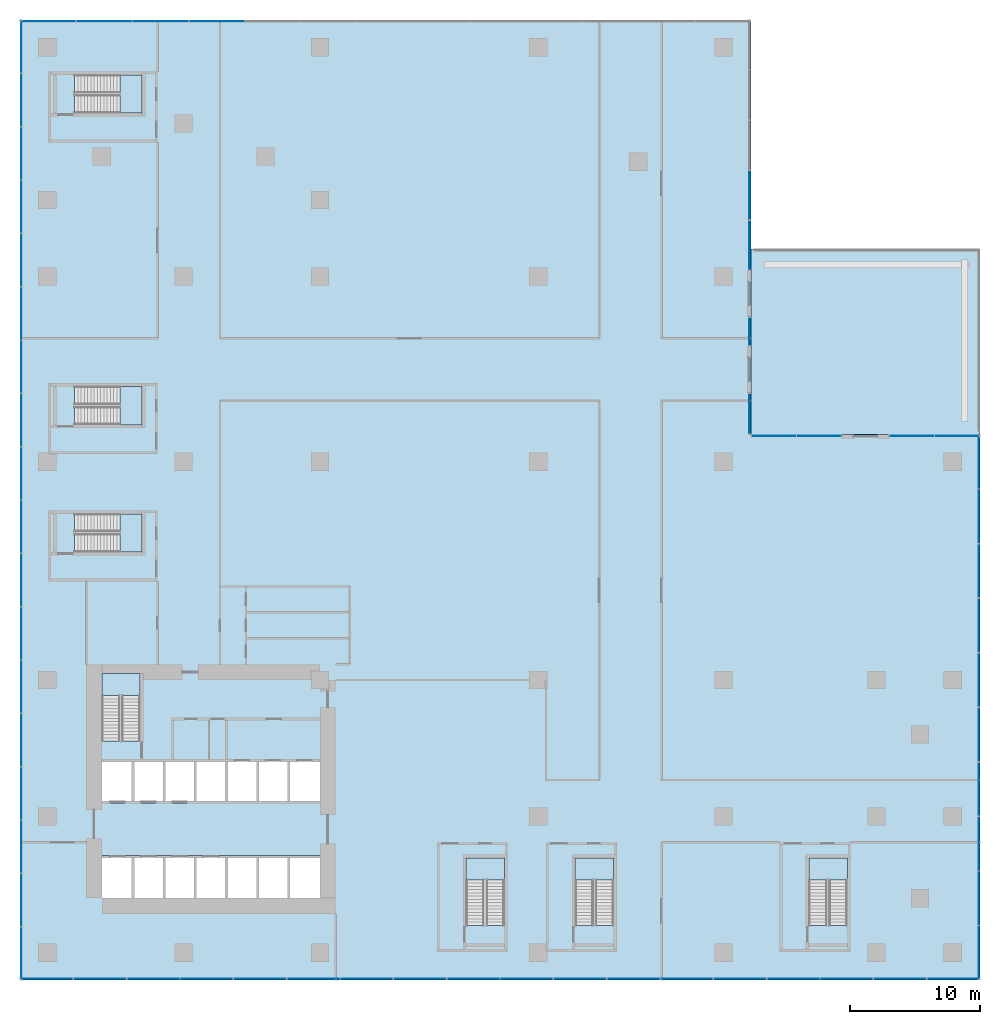
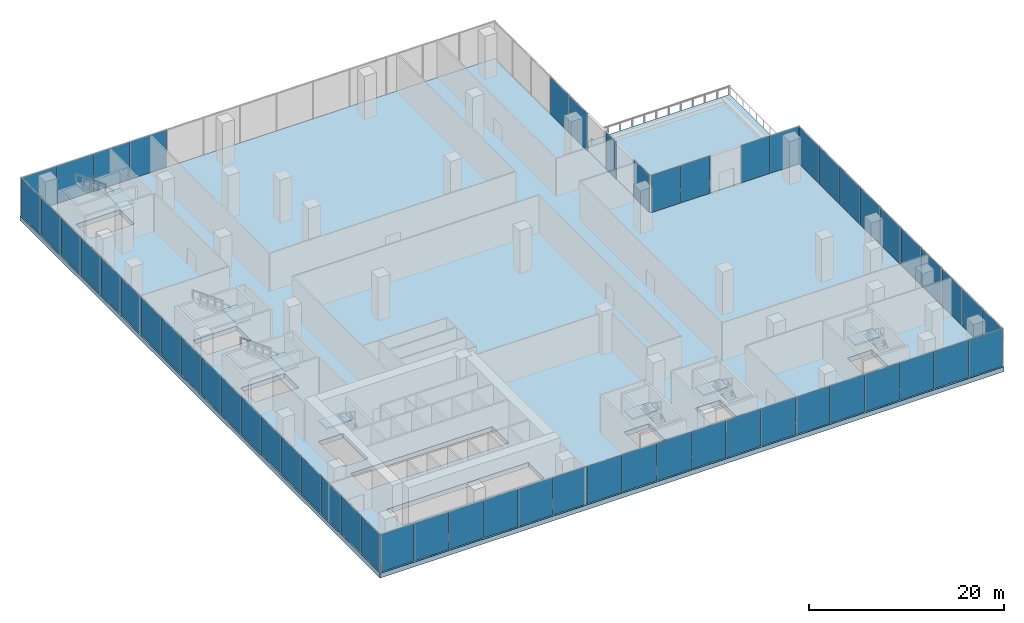
# One storey, part 12 of 23: 58 plates, 9 slabs, 16 elements without a shape of their own.
"""IFC4 building model written with IfcOpenShell, lengths in metres."""

import ifcopenshell
import ifcopenshell.guid

model = None  # the IFC model being written
_history = None  # IfcOwnerHistory: only IFC2X3 demands one
_inside = {}  # id of a spatial element -> (the spatial element, [elements in it])
_under = {}  # id of a project, library or spatial element -> (it, [spatial elements below it])
_declared = {}  # id of a project -> (the project, [libraries it declares])
_typed = {}  # id of a type object -> (the type object, [elements of that type])
_made_of = {}  # id of a material, layer set ... -> (it, [elements and type objects made of it])


def new_model(schema):
    """Start an empty IFC model of exactly this schema.

    Asked for "IFC4X3", IfcOpenShell would pick the latest addendum, in which some entities
    have other attributes; the version numbers below select the first issue.
    IFC2X3 requires an IfcOwnerHistory on every rooted entity: one is made here for all.
    """
    global model, _history
    if schema == "IFC4X3":
        model = ifcopenshell.file(schema_version=(4, 3, 0, 0))
    else:
        model = ifcopenshell.file(schema=schema)
    _inside.clear()
    _under.clear()
    _declared.clear()
    _typed.clear()
    _made_of.clear()
    _history = None
    if model.schema == "IFC2X3":
        org = make("IfcOrganization", Name="unknown")
        user = make(
            "IfcPersonAndOrganization",
            ThePerson=make("IfcPerson", FamilyName="unknown"),
            TheOrganization=org,
        )
        app = make(
            "IfcApplication",
            ApplicationDeveloper=org,
            Version="unknown",
            ApplicationFullName="unknown",
            ApplicationIdentifier="unknown",
        )
        _history = make(
            "IfcOwnerHistory",
            OwningUser=user,
            OwningApplication=app,
            ChangeAction="ADDED",
            CreationDate=0,
        )
    return model


def make(cls, **values):
    """One entity of the class cls with the attributes given. An attribute that is None is left unset."""
    return model.create_entity(
        cls, **{name: value for name, value in values.items() if value is not None}
    )


def rooted(cls, **values):
    """An entity with a GlobalId (a new one), such as an element, a storey or a relation."""
    return make(cls, GlobalId=ifcopenshell.guid.new(), OwnerHistory=_history, **values)


def si_unit(unit_type, name, prefix=None):
    """IfcSIUnit, for example si_unit("LENGTHUNIT", "METRE", prefix="MILLI")."""
    return make("IfcSIUnit", UnitType=unit_type, Prefix=prefix, Name=name)


def assignment(units):
    """IfcUnitAssignment: the units of a project."""
    return None if units is None else make("IfcUnitAssignment", Units=units)


def point(xyz):
    """IfcCartesianPoint."""
    return None if xyz is None else make("IfcCartesianPoint", Coordinates=xyz)


def direction(xyz):
    """IfcDirection."""
    return None if xyz is None else make("IfcDirection", DirectionRatios=xyz)


def frame(location, z_axis=None, x_axis=None):
    """IfcAxis2Placement3D, a coordinate frame: its origin and axes. An axis left out is left unset."""
    return make(
        "IfcAxis2Placement3D",
        Location=point(location),
        Axis=direction(z_axis),
        RefDirection=direction(x_axis),
    )


def frame_2d(location, x_axis=None):
    """IfcAxis2Placement2D, a coordinate frame in the plane: its origin and x axis."""
    return make(
        "IfcAxis2Placement2D", Location=point(location), RefDirection=direction(x_axis)
    )


def origin():
    """The frame at (0, 0, 0) with its axes left unset."""
    return frame((0.0, 0.0, 0.0))


def origin_2d():
    """The frame at (0, 0) in the plane with its x axis left unset."""
    return frame_2d((0.0, 0.0))


def place(relative_to, where):
    """IfcLocalPlacement: puts the frame where relative to a parent placement (None: the world)."""
    return make(
        "IfcLocalPlacement", PlacementRelTo=relative_to, RelativePlacement=where
    )


def context(
    kind, dimensions, precision=None, world=None, true_north=None, identifier=None
):
    """IfcGeometricRepresentationContext, for example the 3D "Model" context."""
    return make(
        "IfcGeometricRepresentationContext",
        ContextIdentifier=identifier,
        ContextType=kind,
        CoordinateSpaceDimension=dimensions,
        Precision=precision,
        WorldCoordinateSystem=world,
        TrueNorth=true_north,
    )


def subcontext(parent, identifier, kind, view, scale=None):
    """IfcGeometricRepresentationSubContext, for example "Body" below "Model"."""
    return make(
        "IfcGeometricRepresentationSubContext",
        ContextIdentifier=identifier,
        ContextType=kind,
        ParentContext=parent,
        TargetScale=scale,
        TargetView=view,
    )


def project(units=None, contexts=None):
    """IfcProject with its units and contexts."""
    return rooted(
        "IfcProject",
        Name="project",
        RepresentationContexts=contexts,
        UnitsInContext=assignment(units),
    )


def spatial(cls, under=None, at=None, **own):
    """A site, building, storey or space (cls), placed at a placement, below another one or the project."""
    s = rooted(cls, ObjectPlacement=at, **own)
    if under is not None:
        _under.setdefault(under.id(), (under, []))[1].append(s)
    return s


def polyline(points):
    """IfcPolyline through the points."""
    return make("IfcPolyline", Points=[point(p) for p in points])


def profile(cls, at=None, kind="AREA", **sizes):
    """A parametric profile (cls). Its sizes go by their IFC names, for example OverallWidth=200.0."""
    return make(cls, ProfileType=kind, Position=at, **sizes)


def rectangle(**sizes):
    """IfcRectangleProfileDef."""
    return profile("IfcRectangleProfileDef", **sizes)


def outline(outer, holes=None, kind="AREA"):
    """IfcArbitraryClosedProfileDef: a profile drawn as a closed curve; with holes, ...WithVoids."""
    if holes is None:
        return make("IfcArbitraryClosedProfileDef", ProfileType=kind, OuterCurve=outer)
    return make(
        "IfcArbitraryProfileDefWithVoids",
        ProfileType=kind,
        OuterCurve=outer,
        InnerCurves=holes,
    )


def extrude(swept, where, along, depth):
    """IfcExtrudedAreaSolid: the profile swept, set in the frame where, extruded along a direction by depth."""
    return make(
        "IfcExtrudedAreaSolid",
        SweptArea=swept,
        Position=where,
        ExtrudedDirection=direction(along),
        Depth=depth,
    )


def shape(context_of_items, identifier, shape_type, items):
    """IfcShapeRepresentation: the items that make up one representation, for example the "Body"."""
    return make(
        "IfcShapeRepresentation",
        ContextOfItems=context_of_items,
        RepresentationIdentifier=identifier,
        RepresentationType=shape_type,
        Items=items,
    )


def source(mapping_origin, context_of_items, identifier, shape_type, items):
    """IfcRepresentationMap: a shape defined once, which mapped items show again and again."""
    return make(
        "IfcRepresentationMap",
        MappingOrigin=mapping_origin,
        MappedRepresentation=shape(context_of_items, identifier, shape_type, items),
    )


def transform(
    local_origin,
    x_axis=None,
    y_axis=None,
    z_axis=None,
    scale=None,
    scale2=None,
    scale3=None,
    uniform=True,
):
    """IfcCartesianTransformationOperator3D, or its non-uniform kind. x_axis, y_axis, z_axis: its Axis1, 2, 3."""
    if uniform:
        return make(
            "IfcCartesianTransformationOperator3D",
            Axis1=direction(x_axis),
            Axis2=direction(y_axis),
            LocalOrigin=point(local_origin),
            Scale=scale,
            Axis3=direction(z_axis),
        )
    return make(
        "IfcCartesianTransformationOperator3DnonUniform",
        Axis1=direction(x_axis),
        Axis2=direction(y_axis),
        LocalOrigin=point(local_origin),
        Scale=scale,
        Axis3=direction(z_axis),
        Scale2=scale2,
        Scale3=scale3,
    )


def mapped(mapping_source, mapping_target):
    """IfcMappedItem: shows the shape of a source again, moved by a transform."""
    return make(
        "IfcMappedItem", MappingSource=mapping_source, MappingTarget=mapping_target
    )


def material(Name=None, Category=None):
    """IfcMaterial."""
    return make("IfcMaterial", Name=Name, Category=Category)


def layer(
    of_material, thickness, ventilated=None, Name=None, Category=None, Priority=None
):
    """IfcMaterialLayer: one layer of a wall or slab, of a material (None: an air gap)."""
    return make(
        "IfcMaterialLayer",
        Material=of_material,
        LayerThickness=thickness,
        IsVentilated=ventilated,
        Name=Name,
        Category=Category,
        Priority=Priority,
    )


def layer_set(layers, Name=None):
    """IfcMaterialLayerSet."""
    return make("IfcMaterialLayerSet", MaterialLayers=layers, LayerSetName=Name)


def made_of(thing, what):
    """Note that an element or type object is made of a material, layer set ...; save() writes the relation."""
    if what is not None:
        _made_of.setdefault(what.id(), (what, []))[1].append(thing)
    return thing


def type_object(cls, material=None, **own):
    """A type object (cls), such as IfcWallType, which elements share."""
    return made_of(rooted(cls, **own), material)


def element(
    cls,
    number,
    at=None,
    inside=None,
    cuts=None,
    type_object=None,
    material=None,
    context=None,
    identifier="Body",
    shape_type=None,
    held_by="IfcProductDefinitionShape",
    body=None,
    shapes=None,
    **own,
):
    """One element of the class cls, such as IfcWall. Its Tag is "e" and its number.

    at: its placement. inside: the storey or other place that contains it. cuts: it is an
    opening in that element (IfcRelVoidsElement). A single representation is given by context,
    identifier, shape_type and body (its items); several are given by shapes. held_by: the class
    of the entity that holds the representations. save() writes the other relations.
    """
    e = rooted(cls, Tag="e%d" % number, ObjectPlacement=at, **own)
    if body is not None:
        shapes = [shape(context, identifier, shape_type, body)]
    if shapes is not None:
        e.Representation = make(held_by, Representations=shapes)
    if inside is not None:
        _inside.setdefault(inside.id(), (inside, []))[1].append(e)
    if cuts is not None:
        rooted(
            "IfcRelVoidsElement", RelatingBuildingElement=cuts, RelatedOpeningElement=e
        )
    if type_object is not None:
        _typed.setdefault(type_object.id(), (type_object, []))[1].append(e)
    return made_of(e, material)


def aggregate(whole, parts):
    """IfcRelAggregates: a whole, such as a stair, and the parts it consists of."""
    return rooted("IfcRelAggregates", RelatingObject=whole, RelatedObjects=parts)


def save(model, path):
    """Write the relations noted so far, then the file.

    IfcRelAggregates (storeys below a building ...), IfcRelContainedInSpatialStructure (elements
    in a storey), IfcRelDefinesByType, IfcRelAssociatesMaterial and IfcRelDeclares: one each for
    every whole, place, type object, material and project.
    """
    for whole, parts in _under.values():
        aggregate(whole, parts)
    for where, things in _inside.values():
        rooted(
            "IfcRelContainedInSpatialStructure",
            RelatedElements=things,
            RelatingStructure=where,
        )
    for kind, things in _typed.values():
        rooted("IfcRelDefinesByType", RelatedObjects=things, RelatingType=kind)
    for what, things in _made_of.values():
        rooted("IfcRelAssociatesMaterial", RelatedObjects=things, RelatingMaterial=what)
    for by, libraries in _declared.values():
        rooted("IfcRelDeclares", RelatingContext=by, RelatedDefinitions=libraries)
    model.write(path)


model = new_model("IFC4")

# Units and contexts
model_context = context("Model", 3, precision=1e-05, world=origin(), true_north=direction((0.0, 1.0)))
body_context = subcontext(model_context, "Body", "Model", "MODEL_VIEW")
ifc_project = project(units=[si_unit("LENGTHUNIT", "METRE"), si_unit("AREAUNIT", "SQUARE_METRE"), si_unit("VOLUMEUNIT", "CUBIC_METRE"), si_unit("PLANEANGLEUNIT", "RADIAN"), si_unit("MASSUNIT", "GRAM", prefix="KILO")], contexts=[model_context])

# Site, building, storey
site_placement = place(None, origin())
site = spatial("IfcSite", under=ifc_project, at=site_placement, CompositionType="ELEMENT")
building_placement = place(site_placement, origin())
building = spatial("IfcBuilding", under=site, at=building_placement, Name="Aurelian Terraces", CompositionType="ELEMENT")
storey_placement = place(building_placement, frame((0.0, 0.0, 23.7)))
storey = spatial("IfcBuildingStorey", under=building, at=storey_placement, Name="L04", CompositionType="ELEMENT", Elevation=23.7)

# Slabs
ifc_material_1 = material(Name="Concrete fc' 40 MPa", Category="concrete")
ifc_layer_1 = layer(ifc_material_1, 0.6)
ifc_layer_set_1 = layer_set([ifc_layer_1], Name="PT FLAT PLATE 600")
slab_type_1 = type_object("IfcSlabType", Name="PT FLAT PLATE 600", PredefinedType="FLOOR", material=ifc_layer_set_1)
slab_1_placement = place(storey_placement, frame((0.0, 0.0, -0.6)))
element("IfcSlab", 1, at=slab_1_placement, inside=storey, type_object=slab_type_1, Name="Floor slab P L04", PredefinedType="FLOOR", context=body_context, shape_type="SweptSolid", body=[
    extrude(outline(polyline([(71.82, -2.1), (54.18, -2.1), (-2.1, -2.1), (-2.1, 39.9), (-2.1, 71.82), (54.18, 71.82), (54.18, 39.9), (71.82, 39.9), (71.82, -2.1)]), holes=[polyline([(58.66, 7.29), (58.66, 2.11), (61.59, 2.11), (61.59, 7.29), (58.66, 7.29)]), polyline([(40.66, 7.29), (40.66, 2.11), (43.59, 2.11), (43.59, 7.29), (40.66, 7.29)]), polyline([(32.26, 7.29), (32.26, 2.11), (35.19, 2.11), (35.19, 7.29), (32.26, 7.29)]), polyline([(4.21, 7.49), (4.21, 4.21), (20.99, 4.21), (20.99, 7.49), (4.21, 7.49)]), polyline([(4.21, 14.89), (4.21, 11.51), (20.99, 11.51), (20.99, 14.89), (4.21, 14.89)]), polyline([(7.29, 40.66), (7.29, 43.59), (2.11, 43.59), (2.11, 40.66), (7.29, 40.66)]), polyline([(7.29, 64.66), (7.29, 67.59), (2.11, 67.59), (2.11, 64.66), (7.29, 64.66)]), polyline([(7.29, 33.79), (2.11, 33.79), (2.11, 30.86), (7.29, 30.86), (7.29, 33.79)]), polyline([(4.21, 21.49), (4.21, 16.31), (7.14, 16.31), (7.14, 21.49), (4.21, 21.49)])]), origin(), (0.0, 0.0, 1.0), 0.6),
])
ifc_layer_2 = layer(ifc_material_1, 0.6001)
ifc_layer_set_2 = layer_set([ifc_layer_2], Name="Terrace slab 600")
slab_type_2 = type_object("IfcSlabType", Name="Terrace slab 600", PredefinedType="NOTDEFINED", material=ifc_layer_set_2)
slab_2_placement = place(storey_placement, frame((0.0, 0.0, -0.6001)))
element("IfcSlab", 2, at=slab_2_placement, inside=storey, type_object=slab_type_2, Name="Podium garden terrace L04 L04-X1", PredefinedType="NOTDEFINED", context=body_context, shape_type="SweptSolid", body=[
    extrude(outline(polyline([(71.82, 39.9), (54.18, 39.9), (54.18, 54.18), (71.82, 54.18), (71.82, 39.9)])), origin(), (0.0, 0.0, 1.0), 0.6001),
])

# Curtain wall, plate
ifc_material_2 = material(Name="Anodised aluminium and clear glazing", Category="aluminium")
ifc_layer_3 = layer(ifc_material_2, 0.2)
ifc_layer_set_3 = layer_set([ifc_layer_3], Name="Winter garden glazing curtain wall")
curtain_wall_type = type_object("IfcCurtainWallType", Name="Winter garden glazing curtain wall", PredefinedType="NOTDEFINED", material=ifc_layer_set_3)
curtain_wall_1_placement = place(storey_placement, origin())
curtain_wall_1 = element("IfcCurtainWall", 3, at=curtain_wall_1_placement, inside=storey, type_object=curtain_wall_type, Name="Winter garden glazing L04 F03.1", PredefinedType="NOTDEFINED")
ifc_material_3 = material(Name="Clear glazing", Category="glass")
ifc_layer_4 = layer(ifc_material_3, 0.028)
ifc_layer_set_4 = layer_set([ifc_layer_4], Name="Winter garden glazing glazing panel")
plate_type = type_object("IfcPlateType", Name="Winter garden glazing glazing panel", PredefinedType="CURTAIN_PANEL", material=ifc_layer_set_4)
plate_1_placement = place(storey_placement, frame((70.05, 39.8, 0.06), z_axis=(0.0, 0.0, 1.0), x_axis=(-1.0, 0.0, 0.0)))
plate_1 = element("IfcPlate", 4, at=plate_1_placement, type_object=plate_type, Name="CW6 panel 1.1", PredefinedType="CURTAIN_PANEL", context=body_context, shape_type="SweptSolid", body=[
    extrude(rectangle(XDim=3.42, YDim=0.028, at=origin_2d()), origin(), (0.0, 0.0, 1.0), 4.68),
])

curtain_wall_2_placement = place(storey_placement, origin())
curtain_wall_2 = element("IfcCurtainWall", 5, at=curtain_wall_2_placement, inside=storey, type_object=curtain_wall_type, Name="Winter garden glazing L04 F04.1", PredefinedType="NOTDEFINED")
plate_2_placement = place(storey_placement, frame((54.08, 41.5, 0.06), z_axis=(0.0, 0.0, 1.0), x_axis=(0.0, 1.0, 0.0)))
plate_2 = element("IfcPlate", 6, at=plate_2_placement, type_object=plate_type, Name="CW6 panel 1.1", PredefinedType="CURTAIN_PANEL", context=body_context, shape_type="SweptSolid", body=[
    extrude(rectangle(XDim=3.08, YDim=0.028, at=origin_2d()), origin(), (0.0, 0.0, 1.0), 4.68),
])
aggregate(curtain_wall_2, [plate_2])

curtain_wall_3_placement = place(storey_placement, origin())
curtain_wall_3 = element("IfcCurtainWall", 7, at=curtain_wall_3_placement, inside=storey, type_object=curtain_wall_type, Name="Winter garden glazing L04 F04.3", PredefinedType="NOTDEFINED")
plate_3_placement = place(storey_placement, frame((54.08, 47.82, 0.06), z_axis=(0.0, 0.0, 1.0), x_axis=(0.0, 1.0, 0.0)))
plate_3 = element("IfcPlate", 8, at=plate_3_placement, type_object=plate_type, Name="CW6 panel 1.1", PredefinedType="CURTAIN_PANEL", context=body_context, shape_type="SweptSolid", body=[
    extrude(rectangle(XDim=2.12, YDim=0.028, at=origin_2d()), origin(), (0.0, 0.0, 1.0), 4.68),
])
aggregate(curtain_wall_3, [plate_3])

# Curtain wall, plates
curtain_wall_4_placement = place(storey_placement, origin())
curtain_wall_4 = element("IfcCurtainWall", 9, at=curtain_wall_4_placement, inside=storey, type_object=curtain_wall_type, Name="Winter garden glazing L04 F04.5", PredefinedType="NOTDEFINED")
plate_4_placement = place(storey_placement, frame((54.08, 54.483, 0.06), z_axis=(0.0, 0.0, 1.0), x_axis=(0.0, 1.0, 0.0)))
plate_4 = element("IfcPlate", 10, at=plate_4_placement, type_object=plate_type, Name="CW6 panel 1.1", PredefinedType="CURTAIN_PANEL", context=body_context, shape_type="SweptSolid", body=[
    extrude(rectangle(XDim=3.766, YDim=0.028, at=origin_2d()), origin(), (0.0, 0.0, 1.0), 4.68),
])
plate_5_placement = place(storey_placement, frame((54.08, 58.324, 0.06), z_axis=(0.0, 0.0, 1.0), x_axis=(0.0, 1.0, 0.0)))
plate_5 = element("IfcPlate", 11, at=plate_5_placement, type_object=plate_type, Name="CW6 panel 2.1", PredefinedType="CURTAIN_PANEL", context=body_context, shape_type="SweptSolid", body=[
    extrude(rectangle(XDim=3.796, YDim=0.028, at=origin_2d()), origin(), (0.0, 0.0, 1.0), 4.68),
])
aggregate(curtain_wall_4, [plate_4, plate_5])

curtain_wall_5_placement = place(storey_placement, origin())
curtain_wall_5 = element("IfcCurtainWall", 12, at=curtain_wall_5_placement, inside=storey, type_object=curtain_wall_type, Name="Winter garden glazing L04 F02.1", PredefinedType="NOTDEFINED")
shared_shape_1 = source(origin(), body_context, "Body", "SweptSolid", [
    extrude(rectangle(XDim=4.14, YDim=0.028, at=origin_2d()), origin(), (0.0, 0.0, 1.0), 4.68),
])
plate_6_placement = place(storey_placement, frame((71.72, 4.2, 0.06), z_axis=(0.0, 0.0, 1.0), x_axis=(0.0, 1.0, 0.0)))
plate_6 = element("IfcPlate", 13, at=plate_6_placement, type_object=plate_type, Name="CW6 panel 2.1", PredefinedType="CURTAIN_PANEL", context=body_context, shape_type="MappedRepresentation", body=[
    mapped(shared_shape_1, transform((0.0, 0.0, 0.0), scale=1.0)),
])
plate_7_placement = place(storey_placement, frame((71.72, 8.4, 0.06), z_axis=(0.0, 0.0, 1.0), x_axis=(0.0, 1.0, 0.0)))
plate_7 = element("IfcPlate", 14, at=plate_7_placement, type_object=plate_type, Name="CW6 panel 3.1", PredefinedType="CURTAIN_PANEL", context=body_context, shape_type="MappedRepresentation", body=[
    mapped(shared_shape_1, transform((0.0, 0.0, 0.0), scale=1.0)),
])
plate_8_placement = place(storey_placement, frame((71.72, 12.6, 0.06), z_axis=(0.0, 0.0, 1.0), x_axis=(0.0, 1.0, 0.0)))
plate_8 = element("IfcPlate", 15, at=plate_8_placement, type_object=plate_type, Name="CW6 panel 4.1", PredefinedType="CURTAIN_PANEL", context=body_context, shape_type="MappedRepresentation", body=[
    mapped(shared_shape_1, transform((0.0, 0.0, 0.0), scale=1.0)),
])
plate_9_placement = place(storey_placement, frame((71.72, 16.8, 0.06), z_axis=(0.0, 0.0, 1.0), x_axis=(0.0, 1.0, 0.0)))
plate_9 = element("IfcPlate", 16, at=plate_9_placement, type_object=plate_type, Name="CW6 panel 5.1", PredefinedType="CURTAIN_PANEL", context=body_context, shape_type="MappedRepresentation", body=[
    mapped(shared_shape_1, transform((0.0, 0.0, 0.0), scale=1.0)),
])
plate_10_placement = place(storey_placement, frame((71.72, 21.0, 0.06), z_axis=(0.0, 0.0, 1.0), x_axis=(0.0, 1.0, 0.0)))
plate_10 = element("IfcPlate", 17, at=plate_10_placement, type_object=plate_type, Name="CW6 panel 6.1", PredefinedType="CURTAIN_PANEL", context=body_context, shape_type="MappedRepresentation", body=[
    mapped(shared_shape_1, transform((0.0, 0.0, 0.0), scale=1.0)),
])
plate_11_placement = place(storey_placement, frame((71.72, 25.2, 0.06), z_axis=(0.0, 0.0, 1.0), x_axis=(0.0, 1.0, 0.0)))
plate_11 = element("IfcPlate", 18, at=plate_11_placement, type_object=plate_type, Name="CW6 panel 7.1", PredefinedType="CURTAIN_PANEL", context=body_context, shape_type="MappedRepresentation", body=[
    mapped(shared_shape_1, transform((0.0, 0.0, 0.0), scale=1.0)),
])
plate_12_placement = place(storey_placement, frame((71.72, 29.4, 0.06), z_axis=(0.0, 0.0, 1.0), x_axis=(0.0, 1.0, 0.0)))
plate_12 = element("IfcPlate", 19, at=plate_12_placement, type_object=plate_type, Name="CW6 panel 8.1", PredefinedType="CURTAIN_PANEL", context=body_context, shape_type="MappedRepresentation", body=[
    mapped(shared_shape_1, transform((0.0, 0.0, 0.0), scale=1.0)),
])
plate_13_placement = place(storey_placement, frame((71.72, 33.6, 0.06), z_axis=(0.0, 0.0, 1.0), x_axis=(0.0, 1.0, 0.0)))
plate_13 = element("IfcPlate", 20, at=plate_13_placement, type_object=plate_type, Name="CW6 panel 9.1", PredefinedType="CURTAIN_PANEL", context=body_context, shape_type="MappedRepresentation", body=[
    mapped(shared_shape_1, transform((0.0, 0.0, 0.0), scale=1.0)),
])
shared_shape_2 = source(origin(), body_context, "Body", "SweptSolid", [
    extrude(rectangle(XDim=4.11, YDim=0.028, at=origin_2d()), origin(), (0.0, 0.0, 1.0), 4.68),
])
plate_14_placement = place(storey_placement, frame((71.72, 0.015, 0.06), z_axis=(0.0, 0.0, 1.0), x_axis=(0.0, 1.0, 0.0)))
plate_14 = element("IfcPlate", 21, at=plate_14_placement, type_object=plate_type, Name="CW6 panel 1.1", PredefinedType="CURTAIN_PANEL", context=body_context, shape_type="MappedRepresentation", body=[
    mapped(shared_shape_2, transform((0.0, 0.0, 0.0), scale=1.0)),
])
plate_15_placement = place(storey_placement, frame((71.72, 37.785, 0.06), z_axis=(0.0, 0.0, 1.0), x_axis=(0.0, 1.0, 0.0)))
plate_15 = element("IfcPlate", 22, at=plate_15_placement, type_object=plate_type, Name="CW6 panel 10.1", PredefinedType="CURTAIN_PANEL", context=body_context, shape_type="MappedRepresentation", body=[
    mapped(shared_shape_2, transform((0.0, 0.0, 0.0), scale=1.0)),
])
aggregate(curtain_wall_5, [plate_14, plate_6, plate_7, plate_8, plate_9, plate_10, plate_11, plate_12, plate_13, plate_15])

curtain_wall_6_placement = place(storey_placement, origin())
curtain_wall_6 = element("IfcCurtainWall", 23, at=curtain_wall_6_placement, inside=storey, type_object=curtain_wall_type, Name="Winter garden glazing L04 F05.1", PredefinedType="NOTDEFINED")
shared_shape_3 = source(origin(), body_context, "Body", "SweptSolid", [
    extrude(rectangle(XDim=4.2692, YDim=0.028, at=origin_2d()), origin(), (0.0, 0.0, 1.0), 4.68),
])
plate_16_placement = place(storey_placement, frame((13.0523, 71.72, 0.06), z_axis=(0.0, 0.0, 1.0), x_axis=(-1.0, 0.0, 0.0)))
plate_16 = element("IfcPlate", 24, at=plate_16_placement, type_object=plate_type, Name="CW6 panel 10.1", PredefinedType="CURTAIN_PANEL", context=body_context, shape_type="MappedRepresentation", body=[
    mapped(shared_shape_3, transform((0.0, 0.0, 0.0), scale=1.0)),
])
plate_17_placement = place(storey_placement, frame((8.7231, 71.72, 0.06), z_axis=(0.0, 0.0, 1.0), x_axis=(-1.0, 0.0, 0.0)))
plate_17 = element("IfcPlate", 25, at=plate_17_placement, type_object=plate_type, Name="CW6 panel 11.1", PredefinedType="CURTAIN_PANEL", context=body_context, shape_type="MappedRepresentation", body=[
    mapped(shared_shape_3, transform((0.0, 0.0, 0.0), scale=1.0)),
])
plate_18_placement = place(storey_placement, frame((4.3938, 71.72, 0.06), z_axis=(0.0, 0.0, 1.0), x_axis=(-1.0, 0.0, 0.0)))
plate_18 = element("IfcPlate", 26, at=plate_18_placement, type_object=plate_type, Name="CW6 panel 12.1", PredefinedType="CURTAIN_PANEL", context=body_context, shape_type="MappedRepresentation", body=[
    mapped(shared_shape_3, transform((0.0, 0.0, 0.0), scale=1.0)),
])
shared_shape_4 = source(origin(), body_context, "Body", "SweptSolid", [
    extrude(rectangle(XDim=4.2392, YDim=0.028, at=origin_2d()), origin(), (0.0, 0.0, 1.0), 4.68),
])
plate_19_placement = place(storey_placement, frame((0.0796, 71.72, 0.06), z_axis=(0.0, 0.0, 1.0), x_axis=(-1.0, 0.0, 0.0)))
plate_19 = element("IfcPlate", 27, at=plate_19_placement, type_object=plate_type, Name="CW6 panel 13.1", PredefinedType="CURTAIN_PANEL", context=body_context, shape_type="MappedRepresentation", body=[
    mapped(shared_shape_4, transform((0.0, 0.0, 0.0), scale=1.0)),
])
aggregate(curtain_wall_6, [plate_16, plate_17, plate_18, plate_19])

curtain_wall_7_placement = place(storey_placement, origin())
curtain_wall_7 = element("IfcCurtainWall", 28, at=curtain_wall_7_placement, inside=storey, type_object=curtain_wall_type, Name="Winter garden glazing L04 F01.1", PredefinedType="NOTDEFINED")
shared_shape_5 = source(origin(), body_context, "Body", "SweptSolid", [
    extrude(rectangle(XDim=4.0467, YDim=0.028, at=origin_2d()), origin(), (0.0, 0.0, 1.0), 4.68),
])
plate_20_placement = place(storey_placement, frame((4.06, -2.0, 0.06), z_axis=(0.0, 0.0, 1.0), x_axis=(1.0, 0.0, 0.0)))
plate_20 = element("IfcPlate", 29, at=plate_20_placement, type_object=plate_type, Name="CW6 panel 2.1", PredefinedType="CURTAIN_PANEL", context=body_context, shape_type="MappedRepresentation", body=[
    mapped(shared_shape_5, transform((0.0, 0.0, 0.0), scale=1.0)),
])
plate_21_placement = place(storey_placement, frame((8.1667, -2.0, 0.06), z_axis=(0.0, 0.0, 1.0), x_axis=(1.0, 0.0, 0.0)))
plate_21 = element("IfcPlate", 30, at=plate_21_placement, type_object=plate_type, Name="CW6 panel 3.1", PredefinedType="CURTAIN_PANEL", context=body_context, shape_type="MappedRepresentation", body=[
    mapped(shared_shape_5, transform((0.0, 0.0, 0.0), scale=1.0)),
])
plate_22_placement = place(storey_placement, frame((12.2733, -2.0, 0.06), z_axis=(0.0, 0.0, 1.0), x_axis=(1.0, 0.0, 0.0)))
plate_22 = element("IfcPlate", 31, at=plate_22_placement, type_object=plate_type, Name="CW6 panel 4.1", PredefinedType="CURTAIN_PANEL", context=body_context, shape_type="MappedRepresentation", body=[
    mapped(shared_shape_5, transform((0.0, 0.0, 0.0), scale=1.0)),
])
plate_23_placement = place(storey_placement, frame((16.38, -2.0, 0.06), z_axis=(0.0, 0.0, 1.0), x_axis=(1.0, 0.0, 0.0)))
plate_23 = element("IfcPlate", 32, at=plate_23_placement, type_object=plate_type, Name="CW6 panel 5.1", PredefinedType="CURTAIN_PANEL", context=body_context, shape_type="MappedRepresentation", body=[
    mapped(shared_shape_5, transform((0.0, 0.0, 0.0), scale=1.0)),
])
plate_24_placement = place(storey_placement, frame((20.4867, -2.0, 0.06), z_axis=(0.0, 0.0, 1.0), x_axis=(1.0, 0.0, 0.0)))
plate_24 = element("IfcPlate", 33, at=plate_24_placement, type_object=plate_type, Name="CW6 panel 6.1", PredefinedType="CURTAIN_PANEL", context=body_context, shape_type="MappedRepresentation", body=[
    mapped(shared_shape_5, transform((0.0, 0.0, 0.0), scale=1.0)),
])
plate_25_placement = place(storey_placement, frame((24.5933, -2.0, 0.06), z_axis=(0.0, 0.0, 1.0), x_axis=(1.0, 0.0, 0.0)))
plate_25 = element("IfcPlate", 34, at=plate_25_placement, type_object=plate_type, Name="CW6 panel 7.1", PredefinedType="CURTAIN_PANEL", context=body_context, shape_type="MappedRepresentation", body=[
    mapped(shared_shape_5, transform((0.0, 0.0, 0.0), scale=1.0)),
])
plate_26_placement = place(storey_placement, frame((28.7, -2.0, 0.06), z_axis=(0.0, 0.0, 1.0), x_axis=(1.0, 0.0, 0.0)))
plate_26 = element("IfcPlate", 35, at=plate_26_placement, type_object=plate_type, Name="CW6 panel 8.1", PredefinedType="CURTAIN_PANEL", context=body_context, shape_type="MappedRepresentation", body=[
    mapped(shared_shape_5, transform((0.0, 0.0, 0.0), scale=1.0)),
])
plate_27_placement = place(storey_placement, frame((32.8067, -2.0, 0.06), z_axis=(0.0, 0.0, 1.0), x_axis=(1.0, 0.0, 0.0)))
plate_27 = element("IfcPlate", 36, at=plate_27_placement, type_object=plate_type, Name="CW6 panel 9.1", PredefinedType="CURTAIN_PANEL", context=body_context, shape_type="MappedRepresentation", body=[
    mapped(shared_shape_5, transform((0.0, 0.0, 0.0), scale=1.0)),
])
plate_28_placement = place(storey_placement, frame((36.9133, -2.0, 0.06), z_axis=(0.0, 0.0, 1.0), x_axis=(1.0, 0.0, 0.0)))
plate_28 = element("IfcPlate", 37, at=plate_28_placement, type_object=plate_type, Name="CW6 panel 10.1", PredefinedType="CURTAIN_PANEL", context=body_context, shape_type="MappedRepresentation", body=[
    mapped(shared_shape_5, transform((0.0, 0.0, 0.0), scale=1.0)),
])
plate_29_placement = place(storey_placement, frame((41.02, -2.0, 0.06), z_axis=(0.0, 0.0, 1.0), x_axis=(1.0, 0.0, 0.0)))
plate_29 = element("IfcPlate", 38, at=plate_29_placement, type_object=plate_type, Name="CW6 panel 11.1", PredefinedType="CURTAIN_PANEL", context=body_context, shape_type="MappedRepresentation", body=[
    mapped(shared_shape_5, transform((0.0, 0.0, 0.0), scale=1.0)),
])
plate_30_placement = place(storey_placement, frame((45.1267, -2.0, 0.06), z_axis=(0.0, 0.0, 1.0), x_axis=(1.0, 0.0, 0.0)))
plate_30 = element("IfcPlate", 39, at=plate_30_placement, type_object=plate_type, Name="CW6 panel 12.1", PredefinedType="CURTAIN_PANEL", context=body_context, shape_type="MappedRepresentation", body=[
    mapped(shared_shape_5, transform((0.0, 0.0, 0.0), scale=1.0)),
])
plate_31_placement = place(storey_placement, frame((49.2333, -2.0, 0.06), z_axis=(0.0, 0.0, 1.0), x_axis=(1.0, 0.0, 0.0)))
plate_31 = element("IfcPlate", 40, at=plate_31_placement, type_object=plate_type, Name="CW6 panel 13.1", PredefinedType="CURTAIN_PANEL", context=body_context, shape_type="MappedRepresentation", body=[
    mapped(shared_shape_5, transform((0.0, 0.0, 0.0), scale=1.0)),
])
plate_32_placement = place(storey_placement, frame((53.34, -2.0, 0.06), z_axis=(0.0, 0.0, 1.0), x_axis=(1.0, 0.0, 0.0)))
plate_32 = element("IfcPlate", 41, at=plate_32_placement, type_object=plate_type, Name="CW6 panel 14.1", PredefinedType="CURTAIN_PANEL", context=body_context, shape_type="MappedRepresentation", body=[
    mapped(shared_shape_5, transform((0.0, 0.0, 0.0), scale=1.0)),
])
plate_33_placement = place(storey_placement, frame((57.4467, -2.0, 0.06), z_axis=(0.0, 0.0, 1.0), x_axis=(1.0, 0.0, 0.0)))
plate_33 = element("IfcPlate", 42, at=plate_33_placement, type_object=plate_type, Name="CW6 panel 15.1", PredefinedType="CURTAIN_PANEL", context=body_context, shape_type="MappedRepresentation", body=[
    mapped(shared_shape_5, transform((0.0, 0.0, 0.0), scale=1.0)),
])
plate_34_placement = place(storey_placement, frame((61.5533, -2.0, 0.06), z_axis=(0.0, 0.0, 1.0), x_axis=(1.0, 0.0, 0.0)))
plate_34 = element("IfcPlate", 43, at=plate_34_placement, type_object=plate_type, Name="CW6 panel 16.1", PredefinedType="CURTAIN_PANEL", context=body_context, shape_type="MappedRepresentation", body=[
    mapped(shared_shape_5, transform((0.0, 0.0, 0.0), scale=1.0)),
])
plate_35_placement = place(storey_placement, frame((65.66, -2.0, 0.06), z_axis=(0.0, 0.0, 1.0), x_axis=(1.0, 0.0, 0.0)))
plate_35 = element("IfcPlate", 44, at=plate_35_placement, type_object=plate_type, Name="CW6 panel 17.1", PredefinedType="CURTAIN_PANEL", context=body_context, shape_type="MappedRepresentation", body=[
    mapped(shared_shape_5, transform((0.0, 0.0, 0.0), scale=1.0)),
])

curtain_wall_8_placement = place(storey_placement, origin())
curtain_wall_8 = element("IfcCurtainWall", 45, at=curtain_wall_8_placement, inside=storey, type_object=curtain_wall_type, Name="Winter garden glazing L04 F06.1", PredefinedType="NOTDEFINED")
plate_36_placement = place(storey_placement, frame((-2.0, 65.66, 0.06), z_axis=(0.0, 0.0, 1.0), x_axis=(0.0, -1.0, 0.0)))
plate_36 = element("IfcPlate", 46, at=plate_36_placement, type_object=plate_type, Name="CW6 panel 2.1", PredefinedType="CURTAIN_PANEL", context=body_context, shape_type="MappedRepresentation", body=[
    mapped(shared_shape_5, transform((0.0, 0.0, 0.0), scale=1.0)),
])
plate_37_placement = place(storey_placement, frame((-2.0, 61.5533, 0.06), z_axis=(0.0, 0.0, 1.0), x_axis=(0.0, -1.0, 0.0)))
plate_37 = element("IfcPlate", 47, at=plate_37_placement, type_object=plate_type, Name="CW6 panel 3.1", PredefinedType="CURTAIN_PANEL", context=body_context, shape_type="MappedRepresentation", body=[
    mapped(shared_shape_5, transform((0.0, 0.0, 0.0), scale=1.0)),
])
plate_38_placement = place(storey_placement, frame((-2.0, 57.4467, 0.06), z_axis=(0.0, 0.0, 1.0), x_axis=(0.0, -1.0, 0.0)))
plate_38 = element("IfcPlate", 48, at=plate_38_placement, type_object=plate_type, Name="CW6 panel 4.1", PredefinedType="CURTAIN_PANEL", context=body_context, shape_type="MappedRepresentation", body=[
    mapped(shared_shape_5, transform((0.0, 0.0, 0.0), scale=1.0)),
])
plate_39_placement = place(storey_placement, frame((-2.0, 53.34, 0.06), z_axis=(0.0, 0.0, 1.0), x_axis=(0.0, -1.0, 0.0)))
plate_39 = element("IfcPlate", 49, at=plate_39_placement, type_object=plate_type, Name="CW6 panel 5.1", PredefinedType="CURTAIN_PANEL", context=body_context, shape_type="MappedRepresentation", body=[
    mapped(shared_shape_5, transform((0.0, 0.0, 0.0), scale=1.0)),
])
plate_40_placement = place(storey_placement, frame((-2.0, 49.2333, 0.06), z_axis=(0.0, 0.0, 1.0), x_axis=(0.0, -1.0, 0.0)))
plate_40 = element("IfcPlate", 50, at=plate_40_placement, type_object=plate_type, Name="CW6 panel 6.1", PredefinedType="CURTAIN_PANEL", context=body_context, shape_type="MappedRepresentation", body=[
    mapped(shared_shape_5, transform((0.0, 0.0, 0.0), scale=1.0)),
])
plate_41_placement = place(storey_placement, frame((-2.0, 45.1267, 0.06), z_axis=(0.0, 0.0, 1.0), x_axis=(0.0, -1.0, 0.0)))
plate_41 = element("IfcPlate", 51, at=plate_41_placement, type_object=plate_type, Name="CW6 panel 7.1", PredefinedType="CURTAIN_PANEL", context=body_context, shape_type="MappedRepresentation", body=[
    mapped(shared_shape_5, transform((0.0, 0.0, 0.0), scale=1.0)),
])
plate_42_placement = place(storey_placement, frame((-2.0, 41.02, 0.06), z_axis=(0.0, 0.0, 1.0), x_axis=(0.0, -1.0, 0.0)))
plate_42 = element("IfcPlate", 52, at=plate_42_placement, type_object=plate_type, Name="CW6 panel 8.1", PredefinedType="CURTAIN_PANEL", context=body_context, shape_type="MappedRepresentation", body=[
    mapped(shared_shape_5, transform((0.0, 0.0, 0.0), scale=1.0)),
])
plate_43_placement = place(storey_placement, frame((-2.0, 36.9133, 0.06), z_axis=(0.0, 0.0, 1.0), x_axis=(0.0, -1.0, 0.0)))
plate_43 = element("IfcPlate", 53, at=plate_43_placement, type_object=plate_type, Name="CW6 panel 9.1", PredefinedType="CURTAIN_PANEL", context=body_context, shape_type="MappedRepresentation", body=[
    mapped(shared_shape_5, transform((0.0, 0.0, 0.0), scale=1.0)),
])
plate_44_placement = place(storey_placement, frame((-2.0, 32.8067, 0.06), z_axis=(0.0, 0.0, 1.0), x_axis=(0.0, -1.0, 0.0)))
plate_44 = element("IfcPlate", 54, at=plate_44_placement, type_object=plate_type, Name="CW6 panel 10.1", PredefinedType="CURTAIN_PANEL", context=body_context, shape_type="MappedRepresentation", body=[
    mapped(shared_shape_5, transform((0.0, 0.0, 0.0), scale=1.0)),
])
plate_45_placement = place(storey_placement, frame((-2.0, 28.7, 0.06), z_axis=(0.0, 0.0, 1.0), x_axis=(0.0, -1.0, 0.0)))
plate_45 = element("IfcPlate", 55, at=plate_45_placement, type_object=plate_type, Name="CW6 panel 11.1", PredefinedType="CURTAIN_PANEL", context=body_context, shape_type="MappedRepresentation", body=[
    mapped(shared_shape_5, transform((0.0, 0.0, 0.0), scale=1.0)),
])
plate_46_placement = place(storey_placement, frame((-2.0, 24.5933, 0.06), z_axis=(0.0, 0.0, 1.0), x_axis=(0.0, -1.0, 0.0)))
plate_46 = element("IfcPlate", 56, at=plate_46_placement, type_object=plate_type, Name="CW6 panel 12.1", PredefinedType="CURTAIN_PANEL", context=body_context, shape_type="MappedRepresentation", body=[
    mapped(shared_shape_5, transform((0.0, 0.0, 0.0), scale=1.0)),
])
plate_47_placement = place(storey_placement, frame((-2.0, 20.4867, 0.06), z_axis=(0.0, 0.0, 1.0), x_axis=(0.0, -1.0, 0.0)))
plate_47 = element("IfcPlate", 57, at=plate_47_placement, type_object=plate_type, Name="CW6 panel 13.1", PredefinedType="CURTAIN_PANEL", context=body_context, shape_type="MappedRepresentation", body=[
    mapped(shared_shape_5, transform((0.0, 0.0, 0.0), scale=1.0)),
])
plate_48_placement = place(storey_placement, frame((-2.0, 16.38, 0.06), z_axis=(0.0, 0.0, 1.0), x_axis=(0.0, -1.0, 0.0)))
plate_48 = element("IfcPlate", 58, at=plate_48_placement, type_object=plate_type, Name="CW6 panel 14.1", PredefinedType="CURTAIN_PANEL", context=body_context, shape_type="MappedRepresentation", body=[
    mapped(shared_shape_5, transform((0.0, 0.0, 0.0), scale=1.0)),
])
plate_49_placement = place(storey_placement, frame((-2.0, 12.2733, 0.06), z_axis=(0.0, 0.0, 1.0), x_axis=(0.0, -1.0, 0.0)))
plate_49 = element("IfcPlate", 59, at=plate_49_placement, type_object=plate_type, Name="CW6 panel 15.1", PredefinedType="CURTAIN_PANEL", context=body_context, shape_type="MappedRepresentation", body=[
    mapped(shared_shape_5, transform((0.0, 0.0, 0.0), scale=1.0)),
])
plate_50_placement = place(storey_placement, frame((-2.0, 8.1667, 0.06), z_axis=(0.0, 0.0, 1.0), x_axis=(0.0, -1.0, 0.0)))
plate_50 = element("IfcPlate", 60, at=plate_50_placement, type_object=plate_type, Name="CW6 panel 16.1", PredefinedType="CURTAIN_PANEL", context=body_context, shape_type="MappedRepresentation", body=[
    mapped(shared_shape_5, transform((0.0, 0.0, 0.0), scale=1.0)),
])
plate_51_placement = place(storey_placement, frame((-2.0, 4.06, 0.06), z_axis=(0.0, 0.0, 1.0), x_axis=(0.0, -1.0, 0.0)))
plate_51 = element("IfcPlate", 61, at=plate_51_placement, type_object=plate_type, Name="CW6 panel 17.1", PredefinedType="CURTAIN_PANEL", context=body_context, shape_type="MappedRepresentation", body=[
    mapped(shared_shape_5, transform((0.0, 0.0, 0.0), scale=1.0)),
])

# Plate
shared_shape_6 = source(origin(), body_context, "Body", "SweptSolid", [
    extrude(rectangle(XDim=4.0167, YDim=0.028, at=origin_2d()), origin(), (0.0, 0.0, 1.0), 4.68),
])
plate_52_placement = place(storey_placement, frame((-0.0317, -2.0, 0.06), z_axis=(0.0, 0.0, 1.0), x_axis=(1.0, 0.0, 0.0)))
plate_52 = element("IfcPlate", 62, at=plate_52_placement, type_object=plate_type, Name="CW6 panel 1.1", PredefinedType="CURTAIN_PANEL", context=body_context, shape_type="MappedRepresentation", body=[
    mapped(shared_shape_6, transform((0.0, 0.0, 0.0), scale=1.0)),
])

plate_53_placement = place(storey_placement, frame((69.7517, -2.0, 0.06), z_axis=(0.0, 0.0, 1.0), x_axis=(1.0, 0.0, 0.0)))
plate_53 = element("IfcPlate", 63, at=plate_53_placement, type_object=plate_type, Name="CW6 panel 18.1", PredefinedType="CURTAIN_PANEL", context=body_context, shape_type="MappedRepresentation", body=[
    mapped(shared_shape_6, transform((0.0, 0.0, 0.0), scale=1.0)),
])

aggregate(curtain_wall_7, [plate_52, plate_20, plate_21, plate_22, plate_23, plate_24, plate_25, plate_26, plate_27, plate_28, plate_29, plate_30, plate_31, plate_32, plate_33, plate_34, plate_35, plate_53])

plate_54_placement = place(storey_placement, frame((-2.0, 69.7517, 0.06), z_axis=(0.0, 0.0, 1.0), x_axis=(0.0, -1.0, 0.0)))
plate_54 = element("IfcPlate", 64, at=plate_54_placement, type_object=plate_type, Name="CW6 panel 1.1", PredefinedType="CURTAIN_PANEL", context=body_context, shape_type="MappedRepresentation", body=[
    mapped(shared_shape_6, transform((0.0, 0.0, 0.0), scale=1.0)),
])

plate_55_placement = place(storey_placement, frame((-2.0, -0.0317, 0.06), z_axis=(0.0, 0.0, 1.0), x_axis=(0.0, -1.0, 0.0)))
plate_55 = element("IfcPlate", 65, at=plate_55_placement, type_object=plate_type, Name="CW6 panel 18.1", PredefinedType="CURTAIN_PANEL", context=body_context, shape_type="MappedRepresentation", body=[
    mapped(shared_shape_6, transform((0.0, 0.0, 0.0), scale=1.0)),
])

aggregate(curtain_wall_8, [plate_54, plate_36, plate_37, plate_38, plate_39, plate_40, plate_41, plate_42, plate_43, plate_44, plate_45, plate_46, plate_47, plate_48, plate_49, plate_50, plate_51, plate_55])

shared_shape_7 = source(origin(), body_context, "Body", "SweptSolid", [
    extrude(rectangle(XDim=3.42, YDim=0.028, at=origin_2d()), origin(), (0.0, 0.0, 1.0), 4.68),
])
plate_56_placement = place(storey_placement, frame((66.57, 39.8, 0.06), z_axis=(0.0, 0.0, 1.0), x_axis=(-1.0, 0.0, 0.0)))
plate_56 = element("IfcPlate", 66, at=plate_56_placement, type_object=plate_type, Name="CW6 panel 2.1", PredefinedType="CURTAIN_PANEL", context=body_context, shape_type="MappedRepresentation", body=[
    mapped(shared_shape_7, transform((0.0, 0.0, 0.0), scale=1.0)),
])

aggregate(curtain_wall_1, [plate_1, plate_56])

# Curtain wall, plates
curtain_wall_9_placement = place(storey_placement, origin())
curtain_wall_9 = element("IfcCurtainWall", 67, at=curtain_wall_9_placement, inside=storey, type_object=curtain_wall_type, Name="Winter garden glazing L04 F03.3", PredefinedType="NOTDEFINED")
plate_57_placement = place(storey_placement, frame((59.43, 39.8, 0.06), z_axis=(0.0, 0.0, 1.0), x_axis=(-1.0, 0.0, 0.0)))
plate_57 = element("IfcPlate", 68, at=plate_57_placement, type_object=plate_type, Name="CW6 panel 1.1", PredefinedType="CURTAIN_PANEL", context=body_context, shape_type="MappedRepresentation", body=[
    mapped(shared_shape_7, transform((0.0, 0.0, 0.0), scale=1.0)),
])
plate_58_placement = place(storey_placement, frame((55.95, 39.8, 0.06), z_axis=(0.0, 0.0, 1.0), x_axis=(-1.0, 0.0, 0.0)))
plate_58 = element("IfcPlate", 69, at=plate_58_placement, type_object=plate_type, Name="CW6 panel 2.1", PredefinedType="CURTAIN_PANEL", context=body_context, shape_type="MappedRepresentation", body=[
    mapped(shared_shape_7, transform((0.0, 0.0, 0.0), scale=1.0)),
])
aggregate(curtain_wall_9, [plate_57, plate_58])

# Stair, slab
stair_type = type_object("IfcStairType", Name="Stair 1400", PredefinedType="HALF_TURN_STAIR", material=ifc_material_1)
stair_1_placement = place(storey_placement, origin())
stair_1 = element("IfcStair", 70, at=stair_1_placement, inside=storey, type_object=stair_type, Name="L04 S1", PredefinedType="HALF_TURN_STAIR")
ifc_layer_5 = layer(ifc_material_1, 0.2)
ifc_layer_set_5 = layer_set([ifc_layer_5], Name="Stair landing 200")
slab_type_3 = type_object("IfcSlabType", Name="Stair landing 200", PredefinedType="LANDING", material=ifc_layer_set_5)
shared_shape_8 = source(origin(), body_context, "Body", "SweptSolid", [
    extrude(outline(polyline([(7.15, 19.8), (7.15, 21.5), (4.2, 21.5), (4.2, 19.8), (7.15, 19.8)])), origin(), (0.0, 0.0, 1.0), 0.2),
])
slab_3_placement = place(storey_placement, frame((0.0, 0.0, 2.5)))
slab_3 = element("IfcSlab", 71, at=slab_3_placement, type_object=slab_type_3, Name="S1 landing 1", PredefinedType="LANDING", context=body_context, shape_type="MappedRepresentation", body=[
    mapped(shared_shape_8, transform((0.0, 0.0, 0.0), scale=1.0)),
])
aggregate(stair_1, [slab_3])

stair_2_placement = place(storey_placement, origin())
stair_2 = element("IfcStair", 72, at=stair_2_placement, inside=storey, type_object=stair_type, Name="L04 S2", PredefinedType="HALF_TURN_STAIR")
shared_shape_9 = source(origin(), body_context, "Body", "SweptSolid", [
    extrude(outline(polyline([(43.6, 5.6), (43.6, 7.3), (40.65, 7.3), (40.65, 5.6), (43.6, 5.6)])), origin(), (0.0, 0.0, 1.0), 0.2),
])
slab_4_placement = place(storey_placement, frame((0.0, 0.0, 2.5)))
slab_4 = element("IfcSlab", 73, at=slab_4_placement, type_object=slab_type_3, Name="S2 landing 1", PredefinedType="LANDING", context=body_context, shape_type="MappedRepresentation", body=[
    mapped(shared_shape_9, transform((0.0, 0.0, 0.0), scale=1.0)),
])
aggregate(stair_2, [slab_4])

stair_3_placement = place(storey_placement, origin())
stair_3 = element("IfcStair", 74, at=stair_3_placement, inside=storey, type_object=stair_type, Name="L04 S3", PredefinedType="HALF_TURN_STAIR")
shared_shape_10 = source(origin(), body_context, "Body", "SweptSolid", [
    extrude(outline(polyline([(5.6, 40.65), (7.3, 40.65), (7.3, 43.6), (5.6, 43.6), (5.6, 40.65)])), origin(), (0.0, 0.0, 1.0), 0.2),
])
slab_5_placement = place(storey_placement, frame((0.0, 0.0, 2.5)))
slab_5 = element("IfcSlab", 75, at=slab_5_placement, type_object=slab_type_3, Name="S3 landing 1", PredefinedType="LANDING", context=body_context, shape_type="MappedRepresentation", body=[
    mapped(shared_shape_10, transform((0.0, 0.0, 0.0), scale=1.0)),
])
aggregate(stair_3, [slab_5])

stair_4_placement = place(storey_placement, origin())
stair_4 = element("IfcStair", 76, at=stair_4_placement, inside=storey, type_object=stair_type, Name="L04 S4", PredefinedType="HALF_TURN_STAIR")
shared_shape_11 = source(origin(), body_context, "Body", "SweptSolid", [
    extrude(outline(polyline([(5.6, 30.85), (7.3, 30.85), (7.3, 33.8), (5.6, 33.8), (5.6, 30.85)])), origin(), (0.0, 0.0, 1.0), 0.2),
])
slab_6_placement = place(storey_placement, frame((0.0, 0.0, 2.5)))
slab_6 = element("IfcSlab", 77, at=slab_6_placement, type_object=slab_type_3, Name="S4 landing 1", PredefinedType="LANDING", context=body_context, shape_type="MappedRepresentation", body=[
    mapped(shared_shape_11, transform((0.0, 0.0, 0.0), scale=1.0)),
])
aggregate(stair_4, [slab_6])

stair_5_placement = place(storey_placement, origin())
stair_5 = element("IfcStair", 78, at=stair_5_placement, inside=storey, type_object=stair_type, Name="L04 S5", PredefinedType="HALF_TURN_STAIR")
shared_shape_12 = source(origin(), body_context, "Body", "SweptSolid", [
    extrude(outline(polyline([(5.6, 64.65), (7.3, 64.65), (7.3, 67.6), (5.6, 67.6), (5.6, 64.65)])), origin(), (0.0, 0.0, 1.0), 0.2),
])
slab_7_placement = place(storey_placement, frame((0.0, 0.0, 2.5)))
slab_7 = element("IfcSlab", 79, at=slab_7_placement, type_object=slab_type_3, Name="S5 landing 1", PredefinedType="LANDING", context=body_context, shape_type="MappedRepresentation", body=[
    mapped(shared_shape_12, transform((0.0, 0.0, 0.0), scale=1.0)),
])
aggregate(stair_5, [slab_7])

stair_6_placement = place(storey_placement, origin())
stair_6 = element("IfcStair", 80, at=stair_6_placement, inside=storey, type_object=stair_type, Name="L04 S6", PredefinedType="HALF_TURN_STAIR")
shared_shape_13 = source(origin(), body_context, "Body", "SweptSolid", [
    extrude(outline(polyline([(61.6, 5.6), (61.6, 7.3), (58.65, 7.3), (58.65, 5.6), (61.6, 5.6)])), origin(), (0.0, 0.0, 1.0), 0.2),
])
slab_8_placement = place(storey_placement, frame((0.0, 0.0, 2.5)))
slab_8 = element("IfcSlab", 81, at=slab_8_placement, type_object=slab_type_3, Name="S6 landing 1", PredefinedType="LANDING", context=body_context, shape_type="MappedRepresentation", body=[
    mapped(shared_shape_13, transform((0.0, 0.0, 0.0), scale=1.0)),
])
aggregate(stair_6, [slab_8])

stair_7_placement = place(storey_placement, origin())
stair_7 = element("IfcStair", 82, at=stair_7_placement, inside=storey, type_object=stair_type, Name="L04 S7", PredefinedType="HALF_TURN_STAIR")
shared_shape_14 = source(origin(), body_context, "Body", "SweptSolid", [
    extrude(outline(polyline([(35.2, 5.6), (35.2, 7.3), (32.25, 7.3), (32.25, 5.6), (35.2, 5.6)])), origin(), (0.0, 0.0, 1.0), 0.2),
])
slab_9_placement = place(storey_placement, frame((0.0, 0.0, 2.5)))
slab_9 = element("IfcSlab", 83, at=slab_9_placement, type_object=slab_type_3, Name="S7 landing 1", PredefinedType="LANDING", context=body_context, shape_type="MappedRepresentation", body=[
    mapped(shared_shape_14, transform((0.0, 0.0, 0.0), scale=1.0)),
])
aggregate(stair_7, [slab_9])

save(model, "model.ifc")
